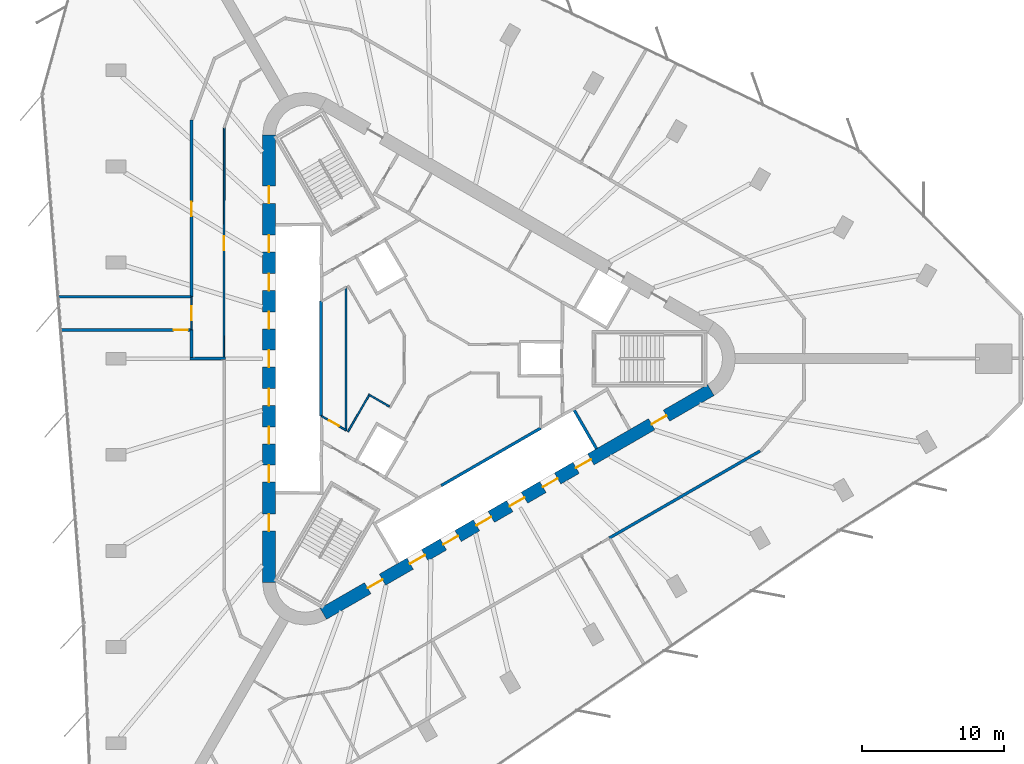
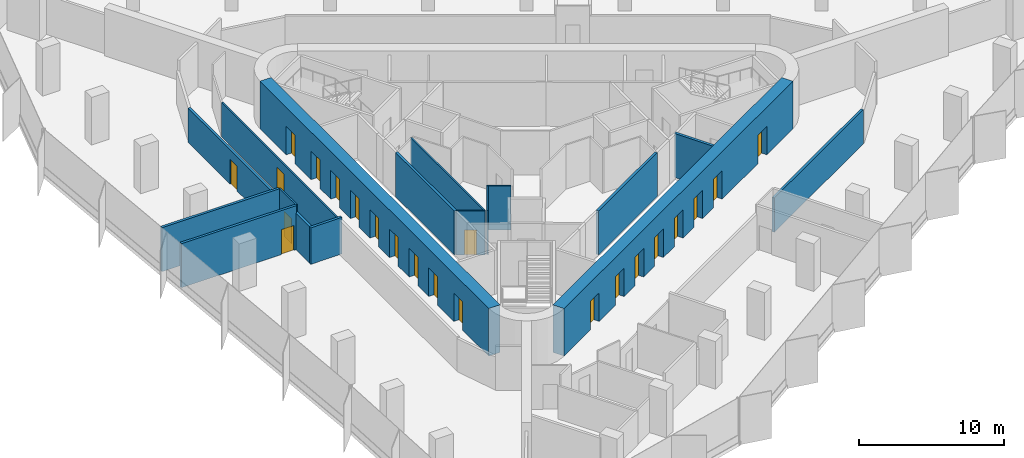
# One storey, part 9 of 13: 22 doors, 17 walls, 22 openings.
"""IFC4 building model written with IfcOpenShell, lengths in metres."""

from ifc_helpers import new_model, si_unit, direction, frame, frame_2d, origin, place, context, subcontext, project, spatial, rectangle, extrude, material, layer, layer_set, type_object, element, fill, save


model = new_model("IFC4")

# Units and contexts
model_context = context("Model", 3, precision=1e-05, world=origin(), true_north=direction((0.0, 1.0)))
body_context = subcontext(model_context, "Body", "Model", "MODEL_VIEW")
ifc_project = project(units=[si_unit("LENGTHUNIT", "METRE"), si_unit("AREAUNIT", "SQUARE_METRE"), si_unit("VOLUMEUNIT", "CUBIC_METRE"), si_unit("PLANEANGLEUNIT", "RADIAN"), si_unit("MASSUNIT", "GRAM", prefix="KILO")], contexts=[model_context])

# Site, building, storey
site_placement = place(None, origin())
site = spatial("IfcSite", under=ifc_project, at=site_placement, CompositionType="ELEMENT")
building_placement = place(site_placement, origin())
building = spatial("IfcBuilding", under=site, at=building_placement, Name="Tanit Gate Tower", CompositionType="ELEMENT")
storey_placement = place(building_placement, frame((0.0, 0.0, 181.199951171875)))
storey = spatial("IfcBuildingStorey", under=building, at=storey_placement, Name="L39", CompositionType="ELEMENT", Elevation=181.199951171875)

# Wall, openings, doors
ifc_material_1 = material(Name="Concrete C50/60", Category="concrete")
ifc_layer_1 = layer(ifc_material_1, 0.89990234375)
ifc_layer_set_1 = layer_set([ifc_layer_1], Name="CORE WALL 900 C50/60")
wall_type_1 = type_object("IfcWallType", Name="CORE WALL 900 C50/60", PredefinedType="SHEAR", material=ifc_layer_set_1)
wall_1_placement = place(storey_placement, frame((-11.64990234375, 15.76171875, 0.0), z_axis=(0.0, 0.0, 1.0), x_axis=(0.0, -1.0, 0.0)))
wall_1 = element("IfcWall", 1, at=wall_1_placement, inside=storey, type_object=wall_type_1, Name="CORE WALL", PredefinedType="SHEAR", context=body_context, shape_type="SweptSolid", body=[
    extrude(rectangle(XDim=31.5234375, YDim=0.89990234375, at=frame_2d((15.76171875, 0.0))), origin(), (0.0, 0.0, 1.0), 4.0),
])
opening_1_placement = place(wall_1_placement, frame((7.061767578125, 0.0, 0.0)))
opening_1 = element("IfcOpeningElement", 2, at=opening_1_placement, cuts=wall_1, Name="Opening LDML1-S10", PredefinedType="OPENING", context=body_context, shape_type="SweptSolid", body=[
    extrude(rectangle(XDim=1.199951171875, YDim=2.39990234375, at=frame_2d((0.60009765625, 1.199951171875))), frame((0.0, 0.4599609375, 0.0), z_axis=(0.0, -1.0, 0.0), x_axis=(1.0, 0.0, 0.0)), (0.0, 0.0, 1.0), 0.919921875),
])
opening_2_placement = place(wall_1_placement, frame((9.76171875, 0.0, 0.0)))
opening_2 = element("IfcOpeningElement", 3, at=opening_2_placement, cuts=wall_1, Name="Opening LDML2-S10", PredefinedType="OPENING", context=body_context, shape_type="SweptSolid", body=[
    extrude(rectangle(XDim=1.199951171875, YDim=2.39990234375, at=frame_2d((0.60009765625, 1.199951171875))), frame((0.0, 0.4599609375, 0.0), z_axis=(0.0, -1.0, 0.0), x_axis=(1.0, 0.0, 0.0)), (0.0, 0.0, 1.0), 0.919921875),
])
opening_3_placement = place(wall_1_placement, frame((12.461669921875, 0.0, 0.0)))
opening_3 = element("IfcOpeningElement", 4, at=opening_3_placement, cuts=wall_1, Name="Opening LDML3-S10", PredefinedType="OPENING", context=body_context, shape_type="SweptSolid", body=[
    extrude(rectangle(XDim=1.199951171875, YDim=2.39990234375, at=frame_2d((0.60009765625, 1.199951171875))), frame((0.0, 0.4599609375, 0.0), z_axis=(0.0, -1.0, 0.0), x_axis=(1.0, 0.0, 0.0)), (0.0, 0.0, 1.0), 0.919921875),
])
opening_4_placement = place(wall_1_placement, frame((15.16162109375, 0.0, 0.0)))
opening_4 = element("IfcOpeningElement", 5, at=opening_4_placement, cuts=wall_1, Name="Opening LDML4-S10", PredefinedType="OPENING", context=body_context, shape_type="SweptSolid", body=[
    extrude(rectangle(XDim=1.199951171875, YDim=2.39990234375, at=frame_2d((0.60009765625, 1.199951171875))), frame((0.0, 0.4599609375, 0.0), z_axis=(0.0, -1.0, 0.0), x_axis=(1.0, 0.0, 0.0)), (0.0, 0.0, 1.0), 0.919921875),
])
opening_5_placement = place(wall_1_placement, frame((17.86181640625, 0.0, 0.0)))
opening_5 = element("IfcOpeningElement", 6, at=opening_5_placement, cuts=wall_1, Name="Opening LDML5-S10", PredefinedType="OPENING", context=body_context, shape_type="SweptSolid", body=[
    extrude(rectangle(XDim=1.199951171875, YDim=2.39990234375, at=frame_2d((0.60009765625, 1.199951171875))), frame((0.0, 0.4599609375, 0.0), z_axis=(0.0, -1.0, 0.0), x_axis=(1.0, 0.0, 0.0)), (0.0, 0.0, 1.0), 0.919921875),
])
opening_6_placement = place(wall_1_placement, frame((20.561767578125, 0.0, 0.0)))
opening_6 = element("IfcOpeningElement", 7, at=opening_6_placement, cuts=wall_1, Name="Opening LDML6-S10", PredefinedType="OPENING", context=body_context, shape_type="SweptSolid", body=[
    extrude(rectangle(XDim=1.199951171875, YDim=2.39990234375, at=frame_2d((0.60009765625, 1.199951171875))), frame((0.0, 0.4599609375, 0.0), z_axis=(0.0, -1.0, 0.0), x_axis=(1.0, 0.0, 0.0)), (0.0, 0.0, 1.0), 0.919921875),
])
opening_7_placement = place(wall_1_placement, frame((23.26171875, 0.0, 0.0)))
opening_7 = element("IfcOpeningElement", 8, at=opening_7_placement, cuts=wall_1, Name="Opening LDML7-S10", PredefinedType="OPENING", context=body_context, shape_type="SweptSolid", body=[
    extrude(rectangle(XDim=1.199951171875, YDim=2.39990234375, at=frame_2d((0.60009765625, 1.199951171875))), frame((0.0, 0.4599609375, 0.0), z_axis=(0.0, -1.0, 0.0), x_axis=(1.0, 0.0, 0.0)), (0.0, 0.0, 1.0), 0.919921875),
])
opening_8_placement = place(wall_1_placement, frame((3.61181640625, 0.0, 0.0)))
opening_8 = element("IfcOpeningElement", 9, at=opening_8_placement, cuts=wall_1, Name="Opening F12-S10-FL2", PredefinedType="OPENING", context=body_context, shape_type="SweptSolid", body=[
    extrude(rectangle(XDim=1.199951171875, YDim=2.39990234375, at=frame_2d((0.60009765625, 1.199951171875))), frame((0.0, 0.4599609375, 0.0), z_axis=(0.0, -1.0, 0.0), x_axis=(1.0, 0.0, 0.0)), (0.0, 0.0, 1.0), 0.919921875),
])
opening_9_placement = place(wall_1_placement, frame((26.711669921875, 0.0, 0.0)))
opening_9 = element("IfcOpeningElement", 10, at=opening_9_placement, cuts=wall_1, Name="Opening F12-S10-S3", PredefinedType="OPENING", context=body_context, shape_type="SweptSolid", body=[
    extrude(rectangle(XDim=1.199951171875, YDim=2.39990234375, at=frame_2d((0.60009765625, 1.199951171875))), frame((0.0, 0.4599609375, 0.0), z_axis=(0.0, -1.0, 0.0), x_axis=(1.0, 0.0, 0.0)), (0.0, 0.0, 1.0), 0.919921875),
])
ifc_material_2 = material(Name="Fire-rated steel door leaf", Category="steel")
door_type_1 = type_object("IfcDoorType", Name="INT-DOOR-FIRE-LOBBY-1200", OperationType="NOTDEFINED", PredefinedType="USERDEFINED", material=ifc_material_2)
door_1_placement = place(opening_8_placement, origin())
door_1 = element("IfcDoor", 11, at=door_1_placement, inside=storey, type_object=door_type_1, Name="Door F12-S10-FL2", ObjectType="FIRE DOOR", OperationType="SINGLE_SWING_RIGHT", OverallHeight=2.39990234375, OverallWidth=1.199951171875, PredefinedType="USERDEFINED", context=body_context, shape_type="SweptSolid", body=[
    extrude(rectangle(XDim=1.199951171875, YDim=2.39990234375, at=frame_2d((0.60009765625, 1.199951171875))), frame((0.0, 0.02490234375, 0.0), z_axis=(0.0, -1.0, 0.0), x_axis=(1.0, 0.0, 0.0)), (0.0, 0.0, 1.0), 0.050048828125),
])
fill(opening_8, door_1)
door_2_placement = place(opening_9_placement, origin())
door_2 = element("IfcDoor", 12, at=door_2_placement, inside=storey, type_object=door_type_1, Name="Door F12-S10-S3", ObjectType="FIRE DOOR", OperationType="SINGLE_SWING_LEFT", OverallHeight=2.39990234375, OverallWidth=1.199951171875, PredefinedType="USERDEFINED", context=body_context, shape_type="SweptSolid", body=[
    extrude(rectangle(XDim=1.199951171875, YDim=2.39990234375, at=frame_2d((0.60009765625, 1.199951171875))), frame((0.0, 0.02490234375, 0.0), z_axis=(0.0, -1.0, 0.0), x_axis=(1.0, 0.0, 0.0)), (0.0, 0.0, 1.0), 0.050048828125),
])
fill(opening_9, door_2)
ifc_material_3 = material(Name="Stainless steel sliding door leaf", Category="steel")
door_type_2 = type_object("IfcDoorType", Name="INT-DOOR-LANDING-1200", OperationType="NOTDEFINED", PredefinedType="USERDEFINED", material=ifc_material_3)
door_3_placement = place(opening_1_placement, origin())
door_3 = element("IfcDoor", 13, at=door_3_placement, inside=storey, type_object=door_type_2, Name="Door LDML1-S10", ObjectType="LANDING DOOR", OperationType="SLIDING_TO_LEFT", OverallHeight=2.39990234375, OverallWidth=1.199951171875, PredefinedType="USERDEFINED", context=body_context, shape_type="SweptSolid", body=[
    extrude(rectangle(XDim=1.199951171875, YDim=2.39990234375, at=frame_2d((0.60009765625, 1.199951171875))), frame((0.0, 0.02490234375, 0.0), z_axis=(0.0, -1.0, 0.0), x_axis=(1.0, 0.0, 0.0)), (0.0, 0.0, 1.0), 0.050048828125),
])
fill(opening_1, door_3)
door_4_placement = place(opening_2_placement, origin())
door_4 = element("IfcDoor", 14, at=door_4_placement, inside=storey, type_object=door_type_2, Name="Door LDML2-S10", ObjectType="LANDING DOOR", OperationType="SLIDING_TO_LEFT", OverallHeight=2.39990234375, OverallWidth=1.199951171875, PredefinedType="USERDEFINED", context=body_context, shape_type="SweptSolid", body=[
    extrude(rectangle(XDim=1.199951171875, YDim=2.39990234375, at=frame_2d((0.60009765625, 1.199951171875))), frame((0.0, 0.02490234375, 0.0), z_axis=(0.0, -1.0, 0.0), x_axis=(1.0, 0.0, 0.0)), (0.0, 0.0, 1.0), 0.050048828125),
])
fill(opening_2, door_4)
door_5_placement = place(opening_3_placement, origin())
door_5 = element("IfcDoor", 15, at=door_5_placement, inside=storey, type_object=door_type_2, Name="Door LDML3-S10", ObjectType="LANDING DOOR", OperationType="SLIDING_TO_LEFT", OverallHeight=2.39990234375, OverallWidth=1.199951171875, PredefinedType="USERDEFINED", context=body_context, shape_type="SweptSolid", body=[
    extrude(rectangle(XDim=1.199951171875, YDim=2.39990234375, at=frame_2d((0.60009765625, 1.199951171875))), frame((0.0, 0.02490234375, 0.0), z_axis=(0.0, -1.0, 0.0), x_axis=(1.0, 0.0, 0.0)), (0.0, 0.0, 1.0), 0.050048828125),
])
fill(opening_3, door_5)
door_6_placement = place(opening_4_placement, origin())
door_6 = element("IfcDoor", 16, at=door_6_placement, inside=storey, type_object=door_type_2, Name="Door LDML4-S10", ObjectType="LANDING DOOR", OperationType="SLIDING_TO_LEFT", OverallHeight=2.39990234375, OverallWidth=1.199951171875, PredefinedType="USERDEFINED", context=body_context, shape_type="SweptSolid", body=[
    extrude(rectangle(XDim=1.199951171875, YDim=2.39990234375, at=frame_2d((0.60009765625, 1.199951171875))), frame((0.0, 0.02490234375, 0.0), z_axis=(0.0, -1.0, 0.0), x_axis=(1.0, 0.0, 0.0)), (0.0, 0.0, 1.0), 0.050048828125),
])
fill(opening_4, door_6)
door_7_placement = place(opening_5_placement, origin())
door_7 = element("IfcDoor", 17, at=door_7_placement, inside=storey, type_object=door_type_2, Name="Door LDML5-S10", ObjectType="LANDING DOOR", OperationType="SLIDING_TO_LEFT", OverallHeight=2.39990234375, OverallWidth=1.199951171875, PredefinedType="USERDEFINED", context=body_context, shape_type="SweptSolid", body=[
    extrude(rectangle(XDim=1.199951171875, YDim=2.39990234375, at=frame_2d((0.60009765625, 1.199951171875))), frame((0.0, 0.02490234375, 0.0), z_axis=(0.0, -1.0, 0.0), x_axis=(1.0, 0.0, 0.0)), (0.0, 0.0, 1.0), 0.050048828125),
])
fill(opening_5, door_7)
door_8_placement = place(opening_6_placement, origin())
door_8 = element("IfcDoor", 18, at=door_8_placement, inside=storey, type_object=door_type_2, Name="Door LDML6-S10", ObjectType="LANDING DOOR", OperationType="SLIDING_TO_LEFT", OverallHeight=2.39990234375, OverallWidth=1.199951171875, PredefinedType="USERDEFINED", context=body_context, shape_type="SweptSolid", body=[
    extrude(rectangle(XDim=1.199951171875, YDim=2.39990234375, at=frame_2d((0.60009765625, 1.199951171875))), frame((0.0, 0.02490234375, 0.0), z_axis=(0.0, -1.0, 0.0), x_axis=(1.0, 0.0, 0.0)), (0.0, 0.0, 1.0), 0.050048828125),
])
fill(opening_6, door_8)
door_9_placement = place(opening_7_placement, origin())
door_9 = element("IfcDoor", 19, at=door_9_placement, inside=storey, type_object=door_type_2, Name="Door LDML7-S10", ObjectType="LANDING DOOR", OperationType="SLIDING_TO_LEFT", OverallHeight=2.39990234375, OverallWidth=1.199951171875, PredefinedType="USERDEFINED", context=body_context, shape_type="SweptSolid", body=[
    extrude(rectangle(XDim=1.199951171875, YDim=2.39990234375, at=frame_2d((0.60009765625, 1.199951171875))), frame((0.0, 0.02490234375, 0.0), z_axis=(0.0, -1.0, 0.0), x_axis=(1.0, 0.0, 0.0)), (0.0, 0.0, 1.0), 0.050048828125),
])
fill(opening_7, door_9)

wall_2_placement = place(storey_placement, frame((-7.824951171875, -17.969970703125, 0.0), z_axis=(0.0, 0.0, 1.0), x_axis=(0.866028369851, 0.499994862586, 0.0)))
wall_2 = element("IfcWall", 20, at=wall_2_placement, inside=storey, type_object=wall_type_1, Name="CORE WALL", PredefinedType="SHEAR", context=body_context, shape_type="SweptSolid", body=[
    extrude(rectangle(XDim=31.523193359375, YDim=0.89990234375, at=frame_2d((15.76171875, 0.0))), origin(), (0.0, 0.0, 1.0), 4.0),
])
opening_10_placement = place(wall_2_placement, frame((7.061767578125, 0.0, 0.0)))
opening_10 = element("IfcOpeningElement", 21, at=opening_10_placement, cuts=wall_2, Name="Opening LDSX1-S10", PredefinedType="OPENING", context=body_context, shape_type="SweptSolid", body=[
    extrude(rectangle(XDim=1.199951171875, YDim=2.39990234375, at=frame_2d((0.60009765625, 1.199951171875))), frame((0.0, 0.4599609375, 0.0), z_axis=(0.0, -1.0, 0.0), x_axis=(1.0, 0.0, 0.0)), (0.0, 0.0, 1.0), 0.919921875),
])
opening_11_placement = place(wall_2_placement, frame((9.76171875, 0.0, 0.0)))
opening_11 = element("IfcOpeningElement", 22, at=opening_11_placement, cuts=wall_2, Name="Opening LDSX2-S10", PredefinedType="OPENING", context=body_context, shape_type="SweptSolid", body=[
    extrude(rectangle(XDim=1.199951171875, YDim=2.39990234375, at=frame_2d((0.60009765625, 1.199951171875))), frame((0.0, 0.4599609375, 0.0), z_axis=(0.0, -1.0, 0.0), x_axis=(1.0, 0.0, 0.0)), (0.0, 0.0, 1.0), 0.919921875),
])
opening_12_placement = place(wall_2_placement, frame((12.461669921875, 0.0, 0.0)))
opening_12 = element("IfcOpeningElement", 23, at=opening_12_placement, cuts=wall_2, Name="Opening LDSX3-S10", PredefinedType="OPENING", context=body_context, shape_type="SweptSolid", body=[
    extrude(rectangle(XDim=1.199951171875, YDim=2.39990234375, at=frame_2d((0.60009765625, 1.199951171875))), frame((0.0, 0.4599609375, 0.0), z_axis=(0.0, -1.0, 0.0), x_axis=(1.0, 0.0, 0.0)), (0.0, 0.0, 1.0), 0.919921875),
])
opening_13_placement = place(wall_2_placement, frame((15.16162109375, 0.0, 0.0)))
opening_13 = element("IfcOpeningElement", 24, at=opening_13_placement, cuts=wall_2, Name="Opening LDSX4-S10", PredefinedType="OPENING", context=body_context, shape_type="SweptSolid", body=[
    extrude(rectangle(XDim=1.199951171875, YDim=2.39990234375, at=frame_2d((0.60009765625, 1.199951171875))), frame((0.0, 0.4599609375, 0.0), z_axis=(0.0, -1.0, 0.0), x_axis=(1.0, 0.0, 0.0)), (0.0, 0.0, 1.0), 0.919921875),
])
opening_14_placement = place(wall_2_placement, frame((17.861572265625, 0.0, 0.0)))
opening_14 = element("IfcOpeningElement", 25, at=opening_14_placement, cuts=wall_2, Name="Opening LDSV1-S10", PredefinedType="OPENING", context=body_context, shape_type="SweptSolid", body=[
    extrude(rectangle(XDim=1.199951171875, YDim=2.39990234375, at=frame_2d((0.60009765625, 1.199951171875))), frame((0.0, 0.4599609375, 0.0), z_axis=(0.0, -1.0, 0.0), x_axis=(1.0, 0.0, 0.0)), (0.0, 0.0, 1.0), 0.919921875),
])
opening_15_placement = place(wall_2_placement, frame((20.561767578125, 0.0, 0.0)))
opening_15 = element("IfcOpeningElement", 26, at=opening_15_placement, cuts=wall_2, Name="Opening LDSV2-S10", PredefinedType="OPENING", context=body_context, shape_type="SweptSolid", body=[
    extrude(rectangle(XDim=1.199951171875, YDim=2.39990234375, at=frame_2d((0.60009765625, 1.199951171875))), frame((0.0, 0.4599609375, 0.0), z_axis=(0.0, -1.0, 0.0), x_axis=(1.0, 0.0, 0.0)), (0.0, 0.0, 1.0), 0.919921875),
])
opening_16_placement = place(wall_2_placement, frame((26.711669921875, 0.0, 0.0)))
opening_16 = element("IfcOpeningElement", 27, at=opening_16_placement, cuts=wall_2, Name="Opening F12-S10-S1", PredefinedType="OPENING", context=body_context, shape_type="SweptSolid", body=[
    extrude(rectangle(XDim=1.199951171875, YDim=2.39990234375, at=frame_2d((0.60009765625, 1.199951171875))), frame((0.0, 0.4599609375, 0.0), z_axis=(0.0, -1.0, 0.0), x_axis=(1.0, 0.0, 0.0)), (0.0, 0.0, 1.0), 0.919921875),
])
opening_17_placement = place(wall_2_placement, frame((3.611572265625, 0.0, 0.0)))
opening_17 = element("IfcOpeningElement", 28, at=opening_17_placement, cuts=wall_2, Name="Opening F12-S10-FL3", PredefinedType="OPENING", context=body_context, shape_type="SweptSolid", body=[
    extrude(rectangle(XDim=1.199951171875, YDim=2.39990234375, at=frame_2d((0.60009765625, 1.199951171875))), frame((0.0, 0.4599609375, 0.0), z_axis=(0.0, -1.0, 0.0), x_axis=(1.0, 0.0, 0.0)), (0.0, 0.0, 1.0), 0.919921875),
])
door_10_placement = place(opening_16_placement, origin())
door_10 = element("IfcDoor", 29, at=door_10_placement, inside=storey, type_object=door_type_1, Name="Door F12-S10-S1", ObjectType="FIRE DOOR", OperationType="SINGLE_SWING_RIGHT", OverallHeight=2.39990234375, OverallWidth=1.199951171875, PredefinedType="USERDEFINED", context=body_context, shape_type="SweptSolid", body=[
    extrude(rectangle(XDim=1.199951171875, YDim=2.39990234375, at=frame_2d((0.60009765625, 1.199951171875))), frame((0.0, 0.02490234375, 0.0), z_axis=(0.0, -1.0, 0.0), x_axis=(1.0, 0.0, 0.0)), (0.0, 0.0, 1.0), 0.050048828125),
])
fill(opening_16, door_10)
door_11_placement = place(opening_17_placement, origin())
door_11 = element("IfcDoor", 30, at=door_11_placement, inside=storey, type_object=door_type_1, Name="Door F12-S10-FL3", ObjectType="FIRE DOOR", OperationType="SINGLE_SWING_LEFT", OverallHeight=2.39990234375, OverallWidth=1.199951171875, PredefinedType="USERDEFINED", context=body_context, shape_type="SweptSolid", body=[
    extrude(rectangle(XDim=1.199951171875, YDim=2.39990234375, at=frame_2d((0.60009765625, 1.199951171875))), frame((0.0, 0.02490234375, 0.0), z_axis=(0.0, -1.0, 0.0), x_axis=(1.0, 0.0, 0.0)), (0.0, 0.0, 1.0), 0.050048828125),
])
fill(opening_17, door_11)
door_12_placement = place(opening_10_placement, origin())
door_12 = element("IfcDoor", 31, at=door_12_placement, inside=storey, type_object=door_type_2, Name="Door LDSX1-S10", ObjectType="LANDING DOOR", OperationType="SLIDING_TO_LEFT", OverallHeight=2.39990234375, OverallWidth=1.199951171875, PredefinedType="USERDEFINED", context=body_context, shape_type="SweptSolid", body=[
    extrude(rectangle(XDim=1.199951171875, YDim=2.39990234375, at=frame_2d((0.60009765625, 1.199951171875))), frame((0.0, 0.02490234375, 0.0), z_axis=(0.0, -1.0, 0.0), x_axis=(1.0, 0.0, 0.0)), (0.0, 0.0, 1.0), 0.050048828125),
])
fill(opening_10, door_12)
door_13_placement = place(opening_11_placement, origin())
door_13 = element("IfcDoor", 32, at=door_13_placement, inside=storey, type_object=door_type_2, Name="Door LDSX2-S10", ObjectType="LANDING DOOR", OperationType="SLIDING_TO_LEFT", OverallHeight=2.39990234375, OverallWidth=1.199951171875, PredefinedType="USERDEFINED", context=body_context, shape_type="SweptSolid", body=[
    extrude(rectangle(XDim=1.199951171875, YDim=2.39990234375, at=frame_2d((0.60009765625, 1.199951171875))), frame((0.0, 0.02490234375, 0.0), z_axis=(0.0, -1.0, 0.0), x_axis=(1.0, 0.0, 0.0)), (0.0, 0.0, 1.0), 0.050048828125),
])
fill(opening_11, door_13)
door_14_placement = place(opening_12_placement, origin())
door_14 = element("IfcDoor", 33, at=door_14_placement, inside=storey, type_object=door_type_2, Name="Door LDSX3-S10", ObjectType="LANDING DOOR", OperationType="SLIDING_TO_LEFT", OverallHeight=2.39990234375, OverallWidth=1.199951171875, PredefinedType="USERDEFINED", context=body_context, shape_type="SweptSolid", body=[
    extrude(rectangle(XDim=1.199951171875, YDim=2.39990234375, at=frame_2d((0.60009765625, 1.199951171875))), frame((0.0, 0.02490234375, 0.0), z_axis=(0.0, -1.0, 0.0), x_axis=(1.0, 0.0, 0.0)), (0.0, 0.0, 1.0), 0.050048828125),
])
fill(opening_12, door_14)
door_15_placement = place(opening_13_placement, origin())
door_15 = element("IfcDoor", 34, at=door_15_placement, inside=storey, type_object=door_type_2, Name="Door LDSX4-S10", ObjectType="LANDING DOOR", OperationType="SLIDING_TO_LEFT", OverallHeight=2.39990234375, OverallWidth=1.199951171875, PredefinedType="USERDEFINED", context=body_context, shape_type="SweptSolid", body=[
    extrude(rectangle(XDim=1.199951171875, YDim=2.39990234375, at=frame_2d((0.60009765625, 1.199951171875))), frame((0.0, 0.02490234375, 0.0), z_axis=(0.0, -1.0, 0.0), x_axis=(1.0, 0.0, 0.0)), (0.0, 0.0, 1.0), 0.050048828125),
])
fill(opening_13, door_15)
door_16_placement = place(opening_14_placement, origin())
door_16 = element("IfcDoor", 35, at=door_16_placement, inside=storey, type_object=door_type_2, Name="Door LDSV1-S10", ObjectType="LANDING DOOR", OperationType="SLIDING_TO_LEFT", OverallHeight=2.39990234375, OverallWidth=1.199951171875, PredefinedType="USERDEFINED", context=body_context, shape_type="SweptSolid", body=[
    extrude(rectangle(XDim=1.199951171875, YDim=2.39990234375, at=frame_2d((0.60009765625, 1.199951171875))), frame((0.0, 0.02490234375, 0.0), z_axis=(0.0, -1.0, 0.0), x_axis=(1.0, 0.0, 0.0)), (0.0, 0.0, 1.0), 0.050048828125),
])
fill(opening_14, door_16)
door_17_placement = place(opening_15_placement, origin())
door_17 = element("IfcDoor", 36, at=door_17_placement, inside=storey, type_object=door_type_2, Name="Door LDSV2-S10", ObjectType="LANDING DOOR", OperationType="SLIDING_TO_LEFT", OverallHeight=2.39990234375, OverallWidth=1.199951171875, PredefinedType="USERDEFINED", context=body_context, shape_type="SweptSolid", body=[
    extrude(rectangle(XDim=1.199951171875, YDim=2.39990234375, at=frame_2d((0.60009765625, 1.199951171875))), frame((0.0, 0.02490234375, 0.0), z_axis=(0.0, -1.0, 0.0), x_axis=(1.0, 0.0, 0.0)), (0.0, 0.0, 1.0), 0.050048828125),
])
fill(opening_15, door_17)

# Wall
ifc_material_4 = material(Name="Fire-rated gypsum board partition")
ifc_layer_2 = layer(ifc_material_4, 0.199951171875)
ifc_layer_set_2 = layer_set([ifc_layer_2], Name="INT-WALL-COMPARTMENT")
wall_type_2 = type_object("IfcWallType", Name="INT-WALL-COMPARTMENT", PredefinedType="PARTITIONING", material=ifc_layer_set_2)
wall_3_placement = place(storey_placement, frame((-17.199951171875, -0.001220703125, 0.0), z_axis=(0.0, 0.0, 1.0), x_axis=(0.999915662945, 0.012987185857, 0.0)))
element("IfcWall", 37, at=wall_3_placement, inside=storey, type_object=wall_type_2, Name="Wall Compartment W088", PredefinedType="PARTITIONING", context=body_context, shape_type="SweptSolid", body=[
    extrude(rectangle(XDim=2.500244140625, YDim=0.199951171875, at=frame_2d((1.25, 0.0))), origin(), (0.0, 0.0, 1.0), 3.070068359375),
])

# Wall, opening, door
wall_4_placement = place(storey_placement, frame((-17.10009765625, 16.82275390625, 0.0), z_axis=(0.0, 0.0, 1.0), x_axis=(0.0, -1.0, 0.0)))
wall_4 = element("IfcWall", 38, at=wall_4_placement, inside=storey, type_object=wall_type_2, Name="Wall Compartment W090", PredefinedType="PARTITIONING", context=body_context, shape_type="SweptSolid", body=[
    extrude(rectangle(XDim=12.47265625, YDim=0.199951171875, at=frame_2d((6.236328125, 0.0))), origin(), (0.0, 0.0, 1.0), 2.880126953125),
])
opening_18_placement = place(wall_4_placement, frame((5.7763671875, 0.0, 0.0)))
opening_18 = element("IfcOpeningElement", 39, at=opening_18_placement, cuts=wall_4, Name="Opening F10-S10-26", PredefinedType="OPENING", context=body_context, shape_type="SweptSolid", body=[
    extrude(rectangle(XDim=1.0, YDim=2.10009765625, at=frame_2d((0.5, 1.050048828125))), frame((0.0, 0.10986328125, 0.0), z_axis=(0.0, -1.0, 0.0), x_axis=(1.0, 0.0, 0.0)), (0.0, 0.0, 1.0), 0.219970703125),
])
ifc_material_5 = material(Name="Fire-rated steel door leaf", Category="steel")
door_type_3 = type_object("IfcDoorType", Name="INT-DOOR-FIRE-1000", OperationType="NOTDEFINED", PredefinedType="USERDEFINED", material=ifc_material_5)
door_18_placement = place(opening_18_placement, origin())
door_18 = element("IfcDoor", 40, at=door_18_placement, inside=storey, type_object=door_type_3, Name="Door F10-S10-26", ObjectType="FIRE DOOR", OperationType="SINGLE_SWING_RIGHT", OverallHeight=2.10009765625, OverallWidth=1.0, PredefinedType="USERDEFINED", context=body_context, shape_type="SweptSolid", body=[
    extrude(rectangle(XDim=1.0, YDim=2.10009765625, at=frame_2d((0.5, 1.050048828125))), frame((0.0, 0.02490234375, 0.0), z_axis=(0.0, -1.0, 0.0), x_axis=(1.0, 0.0, 0.0)), (0.0, 0.0, 1.0), 0.050048828125),
])
fill(opening_18, door_18)

# Walls
wall_5_placement = place(storey_placement, frame((-17.10009765625, 2.050048828125, 0.0), z_axis=(0.0, 0.0, 1.0), x_axis=(0.0, -1.0, 0.0)))
element("IfcWall", 41, at=wall_5_placement, inside=storey, type_object=wall_type_2, Name="Wall Compartment W089", PredefinedType="PARTITIONING", context=body_context, shape_type="SweptSolid", body=[
    extrude(rectangle(XDim=1.949951171875, YDim=0.199951171875, at=frame_2d((0.97509765625, 0.0))), origin(), (0.0, 0.0, 1.0), 3.070068359375),
])
wall_6_placement = place(storey_placement, frame((12.317138671875, -12.634033203125, 0.0), z_axis=(0.0, 0.0, 1.0), x_axis=(0.866028561818, 0.499994530085, 0.0)))
element("IfcWall", 42, at=wall_6_placement, inside=storey, type_object=wall_type_2, Name="Wall Compartment W107", PredefinedType="PARTITIONING", context=body_context, shape_type="SweptSolid", body=[
    extrude(rectangle(XDim=12.272705078125, YDim=0.199951171875, at=frame_2d((6.13623046875, 0.0))), origin(), (0.0, 0.0, 1.0), 2.880126953125),
])

# Wall, opening, door
wall_7_placement = place(storey_placement, frame((-26.33154296875, 2.02978515625, 0.0), z_axis=(0.0, 0.0, 1.0), x_axis=(0.999999999646, 2.6619107e-05, 0.0)))
wall_7 = element("IfcWall", 43, at=wall_7_placement, inside=storey, type_object=wall_type_2, Name="Wall Compartment W113", PredefinedType="PARTITIONING", context=body_context, shape_type="SweptSolid", body=[
    extrude(rectangle(XDim=9.171630859375, YDim=0.199951171875, at=frame_2d((4.5859375, 0.0))), origin(), (0.0, 0.0, 1.0), 3.699951171875),
])
opening_19_placement = place(wall_7_placement, frame((7.9716796875, 0.0, 0.0)))
opening_19 = element("IfcOpeningElement", 44, at=opening_19_placement, cuts=wall_7, Name="Opening F10-S10-25", PredefinedType="OPENING", context=body_context, shape_type="SweptSolid", body=[
    extrude(rectangle(XDim=1.0, YDim=2.10009765625, at=frame_2d((0.5, 1.050048828125))), frame((0.0, 0.10986328125, 0.0), z_axis=(0.0, -1.0, 0.0), x_axis=(1.0, 0.0, 0.0)), (0.0, 0.0, 1.0), 0.219970703125),
])
door_19_placement = place(opening_19_placement, origin())
door_19 = element("IfcDoor", 45, at=door_19_placement, inside=storey, type_object=door_type_3, Name="Door F10-S10-25", ObjectType="FIRE DOOR", OperationType="SINGLE_SWING_LEFT", OverallHeight=2.10009765625, OverallWidth=1.0, PredefinedType="USERDEFINED", context=body_context, shape_type="SweptSolid", body=[
    extrude(rectangle(XDim=1.0, YDim=2.10009765625, at=frame_2d((0.5, 1.050048828125))), frame((0.0, 0.02490234375, 0.0), z_axis=(0.0, -1.0, 0.0), x_axis=(1.0, 0.0, 0.0)), (0.0, 0.0, 1.0), 0.050048828125),
])
fill(opening_19, door_19)

# Walls
wall_8_placement = place(storey_placement, frame((-17.159912109375, 4.3701171875, 0.0), z_axis=(0.0, 0.0, 1.0), x_axis=(-1.0, 0.0, 0.0)))
element("IfcWall", 46, at=wall_8_placement, inside=storey, type_object=wall_type_2, Name="Wall Compartment W114", PredefinedType="PARTITIONING", context=body_context, shape_type="SweptSolid", body=[
    extrude(rectangle(XDim=9.35400390625, YDim=0.199951171875, at=frame_2d((4.677001953125, 0.0))), origin(), (0.0, 0.0, 1.0), 3.699951171875),
])
ifc_material_6 = material(Name="Gypsum board partition")
ifc_layer_3 = layer(ifc_material_6, 0.1201171875)
ifc_layer_set_3 = layer_set([ifc_layer_3], Name="INT-WALL-PARTITION")
wall_type_3 = type_object("IfcWallType", Name="INT-WALL-PARTITION", PredefinedType="PARTITIONING", material=ifc_layer_set_3)
wall_9_placement = place(storey_placement, frame((-6.2314453125, 5.0625, 0.0), z_axis=(0.0, 0.0, 1.0), x_axis=(0.0, -1.0, 0.0)))
element("IfcWall", 47, at=wall_9_placement, inside=storey, type_object=wall_type_3, Name="Wall Partition W074", PredefinedType="PARTITIONING", context=body_context, shape_type="SweptSolid", body=[
    extrude(rectangle(XDim=10.125, YDim=0.1201171875, at=frame_2d((5.0625, 0.0))), origin(), (0.0, 0.0, 1.0), 3.699951171875),
])

# Wall, opening, door
wall_10_placement = place(storey_placement, frame((-7.949951171875, -4.041015625, 0.0), z_axis=(0.0, 0.0, 1.0), x_axis=(0.867071050325, -0.498184497639, 0.0)))
wall_10 = element("IfcWall", 48, at=wall_10_placement, inside=storey, type_object=wall_type_3, Name="Wall Partition W075", PredefinedType="PARTITIONING", context=body_context, shape_type="SweptSolid", body=[
    extrude(rectangle(XDim=2.0166015625, YDim=0.1201171875, at=frame_2d((1.00830078125, 0.0))), origin(), (0.0, 0.0, 1.0), 3.699951171875),
])
opening_20_placement = place(wall_10_placement, frame((0.6083984375, 0.0, 0.0)))
opening_20 = element("IfcOpeningElement", 49, at=opening_20_placement, cuts=wall_10, Name="Opening R08-S10-12", PredefinedType="OPENING", context=body_context, shape_type="SweptSolid", body=[
    extrude(rectangle(XDim=0.800048828125, YDim=2.10009765625, at=frame_2d((0.39990234375, 1.050048828125))), frame((0.0, 0.070068359375, 0.0), z_axis=(0.0, -1.0, 0.0), x_axis=(1.0, 0.0, 0.0)), (0.0, 0.0, 1.0), 0.14013671875),
])
ifc_material_7 = material(Name="Timber door leaf", Category="wood")
door_type_4 = type_object("IfcDoorType", Name="INT-DOOR-RISER-800", OperationType="NOTDEFINED", PredefinedType="USERDEFINED", material=ifc_material_7)
door_20_placement = place(opening_20_placement, origin())
door_20 = element("IfcDoor", 50, at=door_20_placement, inside=storey, type_object=door_type_4, Name="Door R08-S10-12", ObjectType="FIRE DOOR", OperationType="SINGLE_SWING_RIGHT", OverallHeight=2.10009765625, OverallWidth=0.800048828125, PredefinedType="USERDEFINED", context=body_context, shape_type="SweptSolid", body=[
    extrude(rectangle(XDim=0.800048828125, YDim=2.10009765625, at=frame_2d((0.39990234375, 1.050048828125))), frame((0.0, 0.02490234375, 0.0), z_axis=(0.0, -1.0, 0.0), x_axis=(1.0, 0.0, 0.0)), (0.0, 0.0, 1.0), 0.050048828125),
])
fill(opening_20, door_20)

# Walls
wall_11_placement = place(storey_placement, frame((-4.64013671875, -2.51708984375, 0.0), z_axis=(0.0, 0.0, 1.0), x_axis=(0.865989465428, -0.500062241894, 0.0)))
element("IfcWall", 51, at=wall_11_placement, inside=storey, type_object=wall_type_3, Name="Wall Partition W082", PredefinedType="PARTITIONING", context=body_context, shape_type="SweptSolid", body=[
    extrude(rectangle(XDim=1.699951171875, YDim=0.1201171875, at=frame_2d((0.85009765625, 0.0))), origin(), (0.0, 0.0, 1.0), 3.699951171875),
])
wall_12_placement = place(storey_placement, frame((-6.08837890625, -5.145263671875, 0.0), z_axis=(0.0, 0.0, 1.0), x_axis=(0.500050696077, 0.865996132412, 0.0)))
element("IfcWall", 52, at=wall_12_placement, inside=storey, type_object=wall_type_3, Name="Wall Partition W083", PredefinedType="PARTITIONING", context=body_context, shape_type="SweptSolid", body=[
    extrude(rectangle(XDim=2.940185546875, YDim=0.1201171875, at=frame_2d((1.47021484375, 0.0))), origin(), (0.0, 0.0, 1.0), 3.699951171875),
])

# Wall, opening, door
wall_13_placement = place(storey_placement, frame((-14.800048828125, 16.257080078125, 0.0), z_axis=(0.0, 0.0, 1.0), x_axis=(-0.001847148781, -0.999998294019, 0.0)))
wall_13 = element("IfcWall", 53, at=wall_13_placement, inside=storey, type_object=wall_type_3, Name="Wall Partition W086", PredefinedType="PARTITIONING", context=body_context, shape_type="SweptSolid", body=[
    extrude(rectangle(XDim=16.257080078125, YDim=0.1201171875, at=frame_2d((8.12841796875, 0.0))), origin(), (0.0, 0.0, 1.0), 2.880126953125),
])
opening_21_placement = place(wall_13_placement, frame((7.628662109375, 0.0, 0.0)))
opening_21 = element("IfcOpeningElement", 54, at=opening_21_placement, cuts=wall_13, Name="Opening D10-S10-17", PredefinedType="OPENING", context=body_context, shape_type="SweptSolid", body=[
    extrude(rectangle(XDim=1.0, YDim=2.10009765625, at=frame_2d((0.5, 1.050048828125))), frame((0.0, 0.070068359375, 0.0), z_axis=(0.0, -1.0, 0.0), x_axis=(1.0, 0.0, 0.0)), (0.0, 0.0, 1.0), 0.14013671875),
])
ifc_material_8 = material(Name="Timber door leaf", Category="wood")
door_type_5 = type_object("IfcDoorType", Name="INT-DOOR-SINGLE-1000", OperationType="NOTDEFINED", PredefinedType="NOTDEFINED", material=ifc_material_8)
door_21_placement = place(opening_21_placement, origin())
door_21 = element("IfcDoor", 55, at=door_21_placement, inside=storey, type_object=door_type_5, Name="Door D10-S10-17", OperationType="SINGLE_SWING_LEFT", OverallHeight=2.10009765625, OverallWidth=1.0, PredefinedType="NOTDEFINED", context=body_context, shape_type="SweptSolid", body=[
    extrude(rectangle(XDim=1.0, YDim=2.10009765625, at=frame_2d((0.5, 1.050048828125))), frame((0.0, 0.02490234375, 0.0), z_axis=(0.0, -1.0, 0.0), x_axis=(1.0, 0.0, 0.0)), (0.0, 0.0, 1.0), 0.050048828125),
])
fill(opening_21, door_21)

wall_14_placement = place(storey_placement, frame((-17.10009765625, 4.35009765625, 0.0), z_axis=(0.0, 0.0, 1.0), x_axis=(0.0, -1.0, 0.0)))
wall_14 = element("IfcWall", 56, at=wall_14_placement, inside=storey, type_object=wall_type_3, Name="Wall Partition W087", PredefinedType="PARTITIONING", context=body_context, shape_type="SweptSolid", body=[
    extrude(rectangle(XDim=2.300048828125, YDim=0.1201171875, at=frame_2d((1.14990234375, 0.0))), origin(), (0.0, 0.0, 1.0), 3.699951171875),
])
opening_22_placement = place(wall_14_placement, frame((0.64990234375, 0.0, 0.0)))
opening_22 = element("IfcOpeningElement", 57, at=opening_22_placement, cuts=wall_14, Name="Opening D10-S10-18", PredefinedType="OPENING", context=body_context, shape_type="SweptSolid", body=[
    extrude(rectangle(XDim=1.0, YDim=2.10009765625, at=frame_2d((0.5, 1.050048828125))), frame((0.0, 0.070068359375, 0.0), z_axis=(0.0, -1.0, 0.0), x_axis=(1.0, 0.0, 0.0)), (0.0, 0.0, 1.0), 0.14013671875),
])
door_22_placement = place(opening_22_placement, origin())
door_22 = element("IfcDoor", 58, at=door_22_placement, inside=storey, type_object=door_type_5, Name="Door D10-S10-18", OperationType="SINGLE_SWING_RIGHT", OverallHeight=2.10009765625, OverallWidth=1.0, PredefinedType="NOTDEFINED", context=body_context, shape_type="SweptSolid", body=[
    extrude(rectangle(XDim=1.0, YDim=2.10009765625, at=frame_2d((0.5, 1.050048828125))), frame((0.0, 0.02490234375, 0.0), z_axis=(0.0, -1.0, 0.0), x_axis=(1.0, 0.0, 0.0)), (0.0, 0.0, 1.0), 0.050048828125),
])
fill(opening_22, door_22)

# Walls
ifc_material_9 = material(Name="Gypsum shaft wall system")
ifc_layer_4 = layer(ifc_material_9, 0.199951171875)
ifc_layer_set_4 = layer_set([ifc_layer_4], Name="INT-WALL-SHAFT")
wall_type_4 = type_object("IfcWallType", Name="INT-WALL-SHAFT", PredefinedType="PLUMBINGWALL", material=ifc_layer_set_4)
wall_15_placement = place(storey_placement, frame((-7.97998046875, 4.050048828125, 0.0), z_axis=(0.0, 0.0, 1.0), x_axis=(0.0, -1.0, 0.0)))
element("IfcWall", 59, at=wall_15_placement, inside=storey, type_object=wall_type_4, Name="Wall Shaft W005", PredefinedType="PLUMBINGWALL", context=body_context, shape_type="SweptSolid", body=[
    extrude(rectangle(XDim=8.10009765625, YDim=0.199951171875, at=frame_2d((4.050048828125, 0.0))), origin(), (0.0, 0.0, 1.0), 3.699951171875),
])
wall_16_placement = place(storey_placement, frame((0.482666015625, -8.935791015625, 0.0), z_axis=(0.0, 0.0, 1.0), x_axis=(0.866030989016, 0.499990325971, 0.0)))
element("IfcWall", 60, at=wall_16_placement, inside=storey, type_object=wall_type_4, Name="Wall Shaft W023", PredefinedType="PLUMBINGWALL", context=body_context, shape_type="SweptSolid", body=[
    extrude(rectangle(XDim=8.099853515625, YDim=0.199951171875, at=frame_2d((4.0498046875, 0.0))), origin(), (0.0, 0.0, 1.0), 3.699951171875),
])
wall_17_placement = place(storey_placement, frame((9.794677734375, -3.52490234375, 0.0), z_axis=(0.0, 0.0, 1.0), x_axis=(0.499984717929, -0.866034226713, 0.0)))
element("IfcWall", 61, at=wall_17_placement, inside=storey, type_object=wall_type_4, Name="Wall Shaft W016", PredefinedType="PLUMBINGWALL", context=body_context, shape_type="SweptSolid", body=[
    extrude(rectangle(XDim=3.25, YDim=0.199951171875, at=frame_2d((1.625, 0.0))), origin(), (0.0, 0.0, 1.0), 3.699951171875),
])

save(model, "model.ifc")
